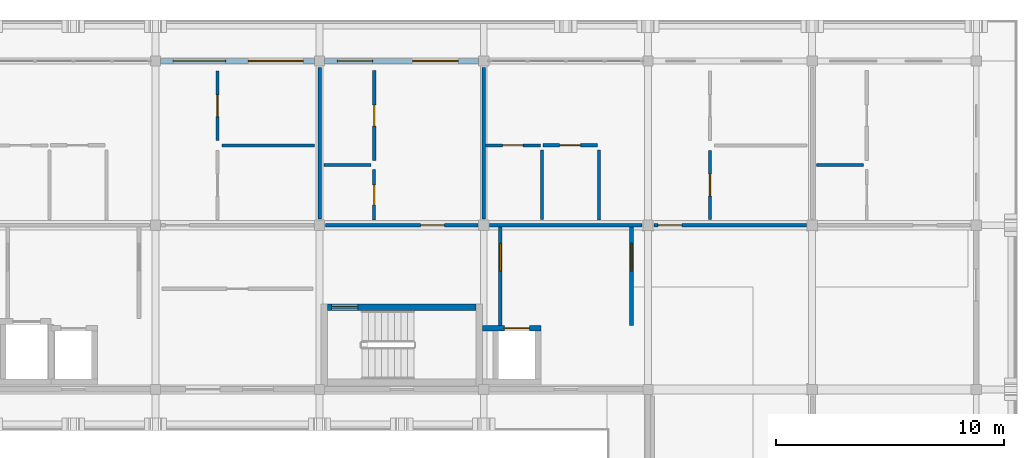
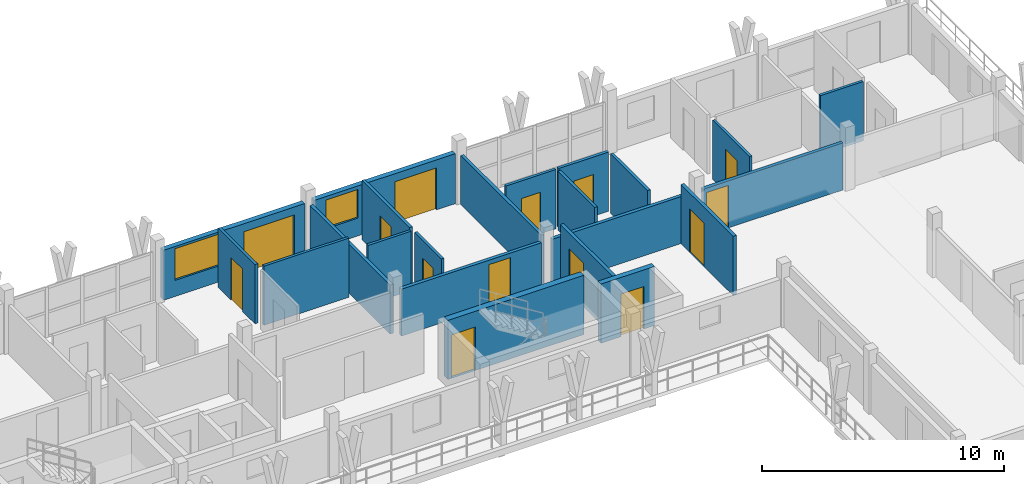
# One storey, part 34 of 45: 22 walls, 14 doors, 2 windows, 16 openings.
"""IFC4 building model written with IfcOpenShell, lengths in metres."""

from ifc_helpers import new_model, si_unit, direction, frame, frame_2d, origin, place, context, subcontext, project, spatial, rectangle, extrude, material, layer, layer_set, type_object, element, fill, save


model = new_model("IFC4")

# Units and contexts
model_context = context("Model", 3, precision=1e-05, world=origin(), true_north=direction((0.0, 1.0)))
body_context = subcontext(model_context, "Body", "Model", "MODEL_VIEW")
ifc_project = project(units=[si_unit("LENGTHUNIT", "METRE"), si_unit("AREAUNIT", "SQUARE_METRE"), si_unit("VOLUMEUNIT", "CUBIC_METRE"), si_unit("PLANEANGLEUNIT", "RADIAN"), si_unit("MASSUNIT", "GRAM", prefix="KILO")], contexts=[model_context])

# Site, building, storey
site_placement = place(None, origin())
site = spatial("IfcSite", under=ifc_project, at=site_placement, CompositionType="ELEMENT")
building_placement = place(site_placement, origin())
building = spatial("IfcBuilding", under=site, at=building_placement, Name="Suanplinth Sawtooth Commons", CompositionType="ELEMENT")
storey_placement = place(building_placement, frame((0.0, 0.0, 38.0)))
storey = spatial("IfcBuildingStorey", under=building, at=storey_placement, Name="L11", CompositionType="ELEMENT", Elevation=38.0)

# Wall, opening, door
ifc_material_1 = material(Name="Concrete C40/50", Category="concrete")
ifc_layer_1 = layer(ifc_material_1, 0.300048828125, Name="Standard RC stair and lift core wall 300mm")
ifc_layer_set_1 = layer_set([ifc_layer_1], Name="Concrete C40/50")
wall_type_1 = type_object("IfcWallType", Name="W-CR02", PredefinedType="SHEAR", material=ifc_layer_set_1)
wall_1_placement = place(storey_placement, frame((158.75, 111.60009765625, 0.0), z_axis=(0.0, 0.0, 1.0), x_axis=(1.0, 0.0, 0.0)))
wall_1 = element("IfcWall", 1, at=wall_1_placement, inside=storey, type_object=wall_type_1, Name="W-L11-C-B2-STN", PredefinedType="SHEAR", context=body_context, shape_type="SweptSolid", body=[
    extrude(rectangle(XDim=6.5, YDim=0.300048828125, at=frame_2d((3.25, 0.0))), origin(), (0.0, 0.0, 1.0), 2.989990234375),
])
opening_1_placement = place(wall_1_placement, frame((0.179931640625, 0.0, 0.0)))
opening_1 = element("IfcOpeningElement", 2, at=opening_1_placement, cuts=wall_1, Name="Opening FD0268", PredefinedType="OPENING", context=body_context, shape_type="SweptSolid", body=[
    extrude(rectangle(XDim=1.14990234375, YDim=2.199951171875, at=frame_2d((0.574951171875, 1.10009765625))), frame((0.0, 0.1650390625, 0.0), z_axis=(0.0, -1.0, 0.0), x_axis=(1.0, 0.0, 0.0)), (0.0, 0.0, 1.0), 0.329833984375),
])
ifc_material_2 = material(Name="Teak hardwood fire-rated door assembly", Category="wood")
door_type_1 = type_object("IfcDoorType", Name="FD-01", OperationType="NOTDEFINED", PredefinedType="DOOR", material=ifc_material_2)
door_1_placement = place(opening_1_placement, frame((1.14990234375, 0.0, 0.0), z_axis=(0.0, 0.0, 1.0), x_axis=(-1.0, 0.0, 0.0)))
door_1 = element("IfcDoor", 3, at=door_1_placement, inside=storey, type_object=door_type_1, Name="Exit Stair Fire Door FD0268", OperationType="SINGLE_SWING_LEFT", OverallHeight=2.199951171875, OverallWidth=1.14990234375, PredefinedType="DOOR", context=body_context, shape_type="SweptSolid", body=[
    extrude(rectangle(XDim=1.14990234375, YDim=2.199951171875, at=frame_2d((0.574951171875, 1.10009765625))), frame((0.0, 0.02490234375, 0.0), z_axis=(0.0, -1.0, 0.0), x_axis=(1.0, 0.0, 0.0)), (0.0, 0.0, 1.0), 0.050048828125),
])
fill(opening_1, door_1)

# Wall, openings, door, window
ifc_material_3 = material(Name="Precast concrete C40/50", Category="concrete")
ifc_layer_2 = layer(ifc_material_3, 0.239990234375, Name="Upper insulated precast facade wall 240mm")
ifc_layer_set_2 = layer_set([ifc_layer_2], Name="Precast concrete C40/50")
wall_type_2 = type_object("IfcWallType", Name="W-EX03", PredefinedType="ELEMENTEDWALL", material=ifc_layer_set_2)
wall_2_placement = place(storey_placement, frame((151.425048828125, 122.39990234375, 0.0), z_axis=(0.0, 0.0, 1.0), x_axis=(1.0, 0.0, 0.0)))
wall_2 = element("IfcWall", 4, at=wall_2_placement, inside=storey, type_object=wall_type_2, Name="Facade Wall W-L11-B-N-21-16", PredefinedType="ELEMENTEDWALL", context=body_context, shape_type="SweptSolid", body=[
    extrude(rectangle(XDim=6.75, YDim=0.239990234375, at=frame_2d((3.375, 0.0))), origin(), (0.0, 0.0, 1.0), 2.52490234375),
])
opening_2_placement = place(wall_2_placement, frame((3.85009765625, 0.0, 0.0)))
opening_2 = element("IfcOpeningElement", 5, at=opening_2_placement, cuts=wall_2, Name="Opening ED0796", PredefinedType="OPENING", context=body_context, shape_type="SweptSolid", body=[
    extrude(rectangle(XDim=2.39990234375, YDim=2.1201171875, at=frame_2d((1.199951171875, 1.06005859375))), frame((0.0, 0.134765625, 0.0), z_axis=(0.0, -1.0, 0.0), x_axis=(1.0, 0.0, 0.0)), (0.0, 0.0, 1.0), 0.269775390625),
])
opening_3_placement = place(wall_2_placement, frame((0.550048828125, 0.0, 0.81494140625)))
opening_3 = element("IfcOpeningElement", 6, at=opening_3_placement, cuts=wall_2, Name="Opening W0879", PredefinedType="OPENING", context=body_context, shape_type="SweptSolid", body=[
    extrude(rectangle(XDim=2.300048828125, YDim=1.60009765625, at=frame_2d((1.14990234375, 0.800048828125))), frame((0.0, 0.134765625, 0.0), z_axis=(0.0, -1.0, 0.0), x_axis=(1.0, 0.0, 0.0)), (0.0, 0.0, 1.0), 0.269775390625),
])
ifc_material_4 = material(Name="Anodized aluminium and low-E glass", Category="aluminium")
door_type_2 = type_object("IfcDoorType", Name="SD-04", OperationType="DOUBLE_DOOR_SLIDING", PredefinedType="DOOR", material=ifc_material_4)
door_2_placement = place(opening_2_placement, frame((2.39990234375, 0.0, 0.0), z_axis=(0.0, 0.0, 1.0), x_axis=(-1.0, 0.0, 0.0)))
door_2 = element("IfcDoor", 7, at=door_2_placement, inside=storey, type_object=door_type_2, Name="Balcony Sliding Door L11-B-21", OperationType="DOUBLE_DOOR_SLIDING", OverallHeight=2.1201171875, OverallWidth=2.39990234375, PredefinedType="DOOR", context=body_context, shape_type="SweptSolid", body=[
    extrude(rectangle(XDim=2.39990234375, YDim=2.1201171875, at=frame_2d((1.199951171875, 1.06005859375))), frame((0.0, 0.02490234375, 0.0), z_axis=(0.0, -1.0, 0.0), x_axis=(1.0, 0.0, 0.0)), (0.0, 0.0, 1.0), 0.050048828125),
])
fill(opening_2, door_2)
ifc_material_5 = material(Name="Thermally broken aluminium and low-E double glazing", Category="aluminium")
window_type_1 = type_object("IfcWindowType", Name="WN-21", PartitioningType="TRIPLE_PANEL_VERTICAL", PredefinedType="WINDOW", material=ifc_material_5)
window_1_placement = place(opening_3_placement, origin())
window_1 = element("IfcWindow", 8, at=window_1_placement, inside=storey, type_object=window_type_1, Name="Apartment Window L11-B-21", OverallHeight=1.60009765625, OverallWidth=2.300048828125, PartitioningType="TRIPLE_PANEL_VERTICAL", PredefinedType="WINDOW", context=body_context, shape_type="SweptSolid", body=[
    extrude(rectangle(XDim=2.300048828125, YDim=1.60009765625, at=frame_2d((1.14990234375, 0.800048828125))), frame((0.0, 0.030029296875, 0.0), z_axis=(0.0, -1.0, 0.0), x_axis=(1.0, 0.0, 0.0)), (0.0, 0.0, 1.0), 0.06005859375),
])
fill(opening_3, window_1)

wall_3_placement = place(storey_placement, frame((158.625, 122.39990234375, 0.0), z_axis=(0.0, 0.0, 1.0), x_axis=(1.0, 0.0, 0.0)))
wall_3 = element("IfcWall", 9, at=wall_3_placement, inside=storey, type_object=wall_type_2, Name="Facade Wall W-L11-B-N-22-16", PredefinedType="ELEMENTEDWALL", context=body_context, shape_type="SweptSolid", body=[
    extrude(rectangle(XDim=6.75, YDim=0.239990234375, at=frame_2d((3.375, 0.0))), origin(), (0.0, 0.0, 1.0), 2.52490234375),
])
opening_4_placement = place(wall_3_placement, frame((3.85009765625, 0.0, 0.0)))
opening_4 = element("IfcOpeningElement", 10, at=opening_4_placement, cuts=wall_3, Name="Opening ED0797", PredefinedType="OPENING", context=body_context, shape_type="SweptSolid", body=[
    extrude(rectangle(XDim=2.0, YDim=2.1201171875, at=frame_2d((1.0, 1.06005859375))), frame((0.0, 0.134765625, 0.0), z_axis=(0.0, -1.0, 0.0), x_axis=(1.0, 0.0, 0.0)), (0.0, 0.0, 1.0), 0.269775390625),
])
opening_5_placement = place(wall_3_placement, frame((0.550048828125, 0.0, 0.89990234375)))
opening_5 = element("IfcOpeningElement", 11, at=opening_5_placement, cuts=wall_3, Name="Opening W0881", PredefinedType="OPENING", context=body_context, shape_type="SweptSolid", body=[
    extrude(rectangle(XDim=1.550048828125, YDim=1.449951171875, at=frame_2d((0.77490234375, 0.72509765625))), frame((0.0, 0.134765625, 0.0), z_axis=(0.0, -1.0, 0.0), x_axis=(1.0, 0.0, 0.0)), (0.0, 0.0, 1.0), 0.269775390625),
])
door_type_3 = type_object("IfcDoorType", Name="SD-06", OperationType="DOUBLE_DOOR_SLIDING", PredefinedType="DOOR", material=ifc_material_4)
door_3_placement = place(opening_4_placement, frame((2.0, 0.0, 0.0), z_axis=(0.0, 0.0, 1.0), x_axis=(-1.0, 0.0, 0.0)))
door_3 = element("IfcDoor", 12, at=door_3_placement, inside=storey, type_object=door_type_3, Name="Balcony Sliding Door L11-B-22", OperationType="DOUBLE_DOOR_SLIDING", OverallHeight=2.1201171875, OverallWidth=2.0, PredefinedType="DOOR", context=body_context, shape_type="SweptSolid", body=[
    extrude(rectangle(XDim=2.0, YDim=2.1201171875, at=frame_2d((1.0, 1.06005859375))), frame((0.0, 0.02490234375, 0.0), z_axis=(0.0, -1.0, 0.0), x_axis=(1.0, 0.0, 0.0)), (0.0, 0.0, 1.0), 0.050048828125),
])
fill(opening_4, door_3)
window_type_2 = type_object("IfcWindowType", Name="WN-22", PartitioningType="DOUBLE_PANEL_VERTICAL", PredefinedType="WINDOW", material=ifc_material_5)
window_2_placement = place(opening_5_placement, origin())
window_2 = element("IfcWindow", 13, at=window_2_placement, inside=storey, type_object=window_type_2, Name="Apartment Window L11-B-22", OverallHeight=1.449951171875, OverallWidth=1.550048828125, PartitioningType="DOUBLE_PANEL_VERTICAL", PredefinedType="WINDOW", context=body_context, shape_type="SweptSolid", body=[
    extrude(rectangle(XDim=1.550048828125, YDim=1.449951171875, at=frame_2d((0.77490234375, 0.72509765625))), frame((0.0, 0.030029296875, 0.0), z_axis=(0.0, -1.0, 0.0), x_axis=(1.0, 0.0, 0.0)), (0.0, 0.0, 1.0), 0.06005859375),
])
fill(opening_5, window_2)

# Wall, opening, door
ifc_layer_3 = layer(ifc_material_3, 0.159912109375, Name="Fire-rated corridor and lobby wall 160mm")
ifc_layer_set_3 = layer_set([ifc_layer_3], Name="Precast concrete C40/50")
wall_type_3 = type_object("IfcWallType", Name="W-FW01", PredefinedType="PARTITIONING", material=ifc_layer_set_3)
wall_4_placement = place(storey_placement, frame((166.320068359375, 110.800048828125, 0.0), z_axis=(0.0, 0.0, 1.0), x_axis=(0.0, 1.0, 0.0)))
wall_4 = element("IfcWall", 14, at=wall_4_placement, inside=storey, type_object=wall_type_3, Name="W-L11-C-B2-LOB-W", PredefinedType="PARTITIONING", context=body_context, shape_type="SweptSolid", body=[
    extrude(rectangle(XDim=4.320068359375, YDim=0.159912109375, at=frame_2d((2.16015625, 0.0))), origin(), (0.0, 0.0, 1.0), 2.989990234375),
])
opening_6_placement = place(wall_4_placement, frame((2.39990234375, 0.0, 0.0)))
opening_6 = element("IfcOpeningElement", 15, at=opening_6_placement, cuts=wall_4, Name="Opening FD0269", PredefinedType="OPENING", context=body_context, shape_type="SweptSolid", body=[
    extrude(rectangle(XDim=1.199951171875, YDim=2.199951171875, at=frame_2d((0.60009765625, 1.10009765625))), frame((0.0, 0.0947265625, 0.0), z_axis=(0.0, -1.0, 0.0), x_axis=(1.0, 0.0, 0.0)), (0.0, 0.0, 1.0), 0.189697265625),
])
door_type_4 = type_object("IfcDoorType", Name="FD-02", OperationType="NOTDEFINED", PredefinedType="DOOR", material=ifc_material_2)
door_4_placement = place(opening_6_placement, origin())
door_4 = element("IfcDoor", 16, at=door_4_placement, inside=storey, type_object=door_type_4, Name="Lobby Fire Door FD0269", OperationType="SINGLE_SWING_RIGHT", OverallHeight=2.199951171875, OverallWidth=1.199951171875, PredefinedType="DOOR", context=body_context, shape_type="SweptSolid", body=[
    extrude(rectangle(XDim=1.199951171875, YDim=2.199951171875, at=frame_2d((0.60009765625, 1.10009765625))), frame((0.0, 0.02490234375, 0.0), z_axis=(0.0, -1.0, 0.0), x_axis=(1.0, 0.0, 0.0)), (0.0, 0.0, 1.0), 0.050048828125),
])
fill(opening_6, door_4)

wall_5_placement = place(storey_placement, frame((172.080078125, 110.800048828125, 0.0), z_axis=(0.0, 0.0, 1.0), x_axis=(0.0, 1.0, 0.0)))
wall_5 = element("IfcWall", 17, at=wall_5_placement, inside=storey, type_object=wall_type_3, Name="W-L11-C-B2-LOB-E", PredefinedType="PARTITIONING", context=body_context, shape_type="SweptSolid", body=[
    extrude(rectangle(XDim=4.320068359375, YDim=0.159912109375, at=frame_2d((2.16015625, 0.0))), origin(), (0.0, 0.0, 1.0), 2.989990234375),
])
opening_7_placement = place(wall_5_placement, frame((2.39990234375, 0.0, 0.0)))
opening_7 = element("IfcOpeningElement", 18, at=opening_7_placement, cuts=wall_5, Name="Opening FD0270", PredefinedType="OPENING", context=body_context, shape_type="SweptSolid", body=[
    extrude(rectangle(XDim=1.199951171875, YDim=2.199951171875, at=frame_2d((0.60009765625, 1.10009765625))), frame((0.0, 0.0947265625, 0.0), z_axis=(0.0, -1.0, 0.0), x_axis=(1.0, 0.0, 0.0)), (0.0, 0.0, 1.0), 0.189697265625),
])
door_5_placement = place(opening_7_placement, frame((1.199951171875, 0.0, 0.0), z_axis=(0.0, 0.0, 1.0), x_axis=(-1.0, 0.0, 0.0)))
door_5 = element("IfcDoor", 19, at=door_5_placement, inside=storey, type_object=door_type_4, Name="Lobby Fire Door FD0270", OperationType="SINGLE_SWING_LEFT", OverallHeight=2.199951171875, OverallWidth=1.199951171875, PredefinedType="DOOR", context=body_context, shape_type="SweptSolid", body=[
    extrude(rectangle(XDim=1.199951171875, YDim=2.199951171875, at=frame_2d((0.60009765625, 1.10009765625))), frame((0.0, 0.02490234375, 0.0), z_axis=(0.0, -1.0, 0.0), x_axis=(1.0, 0.0, 0.0)), (0.0, 0.0, 1.0), 0.050048828125),
])
fill(opening_7, door_5)

wall_6_placement = place(storey_placement, frame((158.655029296875, 115.199951171875, 0.0), z_axis=(0.0, 0.0, 1.0), x_axis=(1.0, 0.0, 0.0)))
wall_6 = element("IfcWall", 20, at=wall_6_placement, inside=storey, type_object=wall_type_3, Name="W-B-L11-U03-COR", PredefinedType="PARTITIONING", context=body_context, shape_type="SweptSolid", body=[
    extrude(rectangle(XDim=6.68994140625, YDim=0.159912109375, at=frame_2d((3.344970703125, 0.0))), origin(), (0.0, 0.0, 1.0), 2.375),
])
opening_8_placement = place(wall_6_placement, frame((4.169921875, 0.0, 0.0)))
opening_8 = element("IfcOpeningElement", 21, at=opening_8_placement, cuts=wall_6, Name="Opening FD1965", PredefinedType="OPENING", context=body_context, shape_type="SweptSolid", body=[
    extrude(rectangle(XDim=1.050048828125, YDim=2.14990234375, at=frame_2d((0.52490234375, 1.074951171875))), frame((0.0, 0.0947265625, 0.0), z_axis=(0.0, -1.0, 0.0), x_axis=(1.0, 0.0, 0.0)), (0.0, 0.0, 1.0), 0.189697265625),
])
door_type_5 = type_object("IfcDoorType", Name="FD-04", OperationType="NOTDEFINED", PredefinedType="DOOR", material=ifc_material_2)
door_6_placement = place(opening_8_placement, origin())
door_6 = element("IfcDoor", 22, at=door_6_placement, inside=storey, type_object=door_type_5, Name="Unit Entrance Door FD1965", OperationType="SINGLE_SWING_LEFT", OverallHeight=2.14990234375, OverallWidth=1.050048828125, PredefinedType="DOOR", context=body_context, shape_type="SweptSolid", body=[
    extrude(rectangle(XDim=1.050048828125, YDim=2.14990234375, at=frame_2d((0.52490234375, 1.074951171875))), frame((0.0, 0.02490234375, 0.0), z_axis=(0.0, -1.0, 0.0), x_axis=(1.0, 0.0, 0.0)), (0.0, 0.0, 1.0), 0.050048828125),
])
fill(opening_8, door_6)

# Wall
wall_7_placement = place(storey_placement, frame((165.85498046875, 115.199951171875, 0.0), z_axis=(0.0, 0.0, 1.0), x_axis=(1.0, 0.0, 0.0)))
element("IfcWall", 23, at=wall_7_placement, inside=storey, type_object=wall_type_3, Name="W-B-L11-U04-COR-S1", PredefinedType="PARTITIONING", context=body_context, shape_type="SweptSolid", body=[
    extrude(rectangle(XDim=6.68994140625, YDim=0.159912109375, at=frame_2d((3.344970703125, 0.0))), origin(), (0.0, 0.0, 1.0), 2.375),
])

# Wall, opening, door
wall_8_placement = place(storey_placement, frame((173.054931640625, 115.199951171875, 0.0), z_axis=(0.0, 0.0, 1.0), x_axis=(1.0, 0.0, 0.0)))
wall_8 = element("IfcWall", 24, at=wall_8_placement, inside=storey, type_object=wall_type_3, Name="W-B-L11-U04-COR-S2", PredefinedType="PARTITIONING", context=body_context, shape_type="SweptSolid", body=[
    extrude(rectangle(XDim=6.690185546875, YDim=0.159912109375, at=frame_2d((3.34521484375, 0.0))), origin(), (0.0, 0.0, 1.0), 2.375),
])
opening_9_placement = place(wall_8_placement, frame((0.179931640625, 0.0, 0.0)))
opening_9 = element("IfcOpeningElement", 25, at=opening_9_placement, cuts=wall_8, Name="Opening FD1968", PredefinedType="OPENING", context=body_context, shape_type="SweptSolid", body=[
    extrude(rectangle(XDim=1.050048828125, YDim=2.14990234375, at=frame_2d((0.52490234375, 1.074951171875))), frame((0.0, 0.0947265625, 0.0), z_axis=(0.0, -1.0, 0.0), x_axis=(1.0, 0.0, 0.0)), (0.0, 0.0, 1.0), 0.189697265625),
])
door_7_placement = place(opening_9_placement, origin())
door_7 = element("IfcDoor", 26, at=door_7_placement, inside=storey, type_object=door_type_5, Name="Unit Entrance Door FD1968", OperationType="SINGLE_SWING_RIGHT", OverallHeight=2.14990234375, OverallWidth=1.050048828125, PredefinedType="DOOR", context=body_context, shape_type="SweptSolid", body=[
    extrude(rectangle(XDim=1.050048828125, YDim=2.14990234375, at=frame_2d((0.52490234375, 1.074951171875))), frame((0.0, 0.02490234375, 0.0), z_axis=(0.0, -1.0, 0.0), x_axis=(1.0, 0.0, 0.0)), (0.0, 0.0, 1.0), 0.050048828125),
])
fill(opening_9, door_7)

# Walls
ifc_layer_4 = layer(ifc_material_3, 0.14990234375, Name="Acoustic precast party demising wall 150mm")
ifc_layer_set_4 = layer_set([ifc_layer_4], Name="Precast concrete C40/50")
wall_type_4 = type_object("IfcWallType", Name="W-FW02", PredefinedType="PARTITIONING", material=ifc_layer_set_4)
for number, where, z_axis, x_axis, name in (
    (27, (158.39990234375, 115.47998046875, 0.0), (0.0, 0.0, 1.0), (0.0, 1.0, 0.0), "W-B-L11-U02-PTY"),
    (28, (165.60009765625, 115.47998046875, 0.0), (0.0, 0.0, 1.0), (0.0, 1.0, 0.0), "W-B-L11-U03-PTY"),
):
    element("IfcWall", number, at=place(storey_placement, frame(where, z_axis=z_axis, x_axis=x_axis)), inside=storey, type_object=wall_type_4, Name=name, PredefinedType="PARTITIONING", context=body_context, shape_type="SweptSolid", body=[
        extrude(rectangle(XDim=6.64013671875, YDim=0.14990234375, at=frame_2d((3.320068359375, 0.0))), origin(), (0.0, 0.0, 1.0), 2.47509765625),
    ])

# Wall, opening, door
ifc_material_6 = material(Name="Gypsum plasterboard on steel stud", Category="steel")
ifc_layer_5 = layer(ifc_material_6, 0.139892578125, Name="Fire-rated kitchen partition 140mm")
ifc_layer_set_5 = layer_set([ifc_layer_5], Name="Gypsum plasterboard on steel stud")
wall_type_5 = type_object("IfcWallType", Name="W-PT01", PredefinedType="PARTITIONING", material=ifc_layer_set_5)
wall_9_placement = place(storey_placement, frame((160.794921875, 118.0400390625, 0.0), z_axis=(0.0, 0.0, 1.0), x_axis=(0.0, 1.0, 0.0)))
wall_9 = element("IfcWall", 29, at=wall_9_placement, inside=storey, type_object=wall_type_5, Name="W-B-L11-U03-KITE", PredefinedType="PARTITIONING", context=body_context, shape_type="SweptSolid", body=[
    extrude(rectangle(XDim=3.93994140625, YDim=0.139892578125, at=frame_2d((1.969970703125, 0.0))), origin(), (0.0, 0.0, 1.0), 2.989990234375),
])
opening_10_placement = place(wall_9_placement, frame((1.510009765625, 0.0, 0.0)))
opening_10 = element("IfcOpeningElement", 30, at=opening_10_placement, cuts=wall_9, Name="Opening D1967", PredefinedType="OPENING", context=body_context, shape_type="SweptSolid", body=[
    extrude(rectangle(XDim=0.919921875, YDim=2.10009765625, at=frame_2d((0.4599609375, 1.050048828125))), frame((0.0, 0.0849609375, 0.0), z_axis=(0.0, -1.0, 0.0), x_axis=(1.0, 0.0, 0.0)), (0.0, 0.0, 1.0), 0.169677734375),
])
ifc_material_7 = material(Name="Teak hardwood", Category="wood")
door_type_6 = type_object("IfcDoorType", Name="D-02", OperationType="NOTDEFINED", PredefinedType="DOOR", material=ifc_material_7)
door_8_placement = place(opening_10_placement, origin())
door_8 = element("IfcDoor", 31, at=door_8_placement, inside=storey, type_object=door_type_6, Name="Kitchen Door D1967", OperationType="SINGLE_SWING_LEFT", OverallHeight=2.10009765625, OverallWidth=0.919921875, PredefinedType="DOOR", context=body_context, shape_type="SweptSolid", body=[
    extrude(rectangle(XDim=0.919921875, YDim=2.10009765625, at=frame_2d((0.4599609375, 1.050048828125))), frame((0.0, 0.02490234375, 0.0), z_axis=(0.0, -1.0, 0.0), x_axis=(1.0, 0.0, 0.0)), (0.0, 0.0, 1.0), 0.050048828125),
])
fill(opening_10, door_8)

wall_10_placement = place(storey_placement, frame((168.199951171875, 118.7099609375, 0.0), z_axis=(0.0, 0.0, 1.0), x_axis=(1.0, 0.0, 0.0)))
wall_10 = element("IfcWall", 32, at=wall_10_placement, inside=storey, type_object=wall_type_5, Name="W-B-L11-U04-KIT1", PredefinedType="PARTITIONING", context=body_context, shape_type="SweptSolid", body=[
    extrude(rectangle(XDim=2.380126953125, YDim=0.139892578125, at=frame_2d((1.18994140625, 0.0))), origin(), (0.0, 0.0, 1.0), 2.989990234375),
])
opening_11_placement = place(wall_10_placement, frame((0.72998046875, 0.0, 0.0)))
opening_11 = element("IfcOpeningElement", 33, at=opening_11_placement, cuts=wall_10, Name="Opening D1970", PredefinedType="OPENING", context=body_context, shape_type="SweptSolid", body=[
    extrude(rectangle(XDim=0.919921875, YDim=2.10009765625, at=frame_2d((0.4599609375, 1.050048828125))), frame((0.0, 0.0849609375, 0.0), z_axis=(0.0, -1.0, 0.0), x_axis=(1.0, 0.0, 0.0)), (0.0, 0.0, 1.0), 0.169677734375),
])
door_9_placement = place(opening_11_placement, frame((0.919921875, 0.0, 0.0), z_axis=(0.0, 0.0, 1.0), x_axis=(-1.0, 0.0, 0.0)))
door_9 = element("IfcDoor", 34, at=door_9_placement, inside=storey, type_object=door_type_6, Name="Kitchen Door D1970", OperationType="SINGLE_SWING_RIGHT", OverallHeight=2.10009765625, OverallWidth=0.919921875, PredefinedType="DOOR", context=body_context, shape_type="SweptSolid", body=[
    extrude(rectangle(XDim=0.919921875, YDim=2.10009765625, at=frame_2d((0.4599609375, 1.050048828125))), frame((0.0, 0.02490234375, 0.0), z_axis=(0.0, -1.0, 0.0), x_axis=(1.0, 0.0, 0.0)), (0.0, 0.0, 1.0), 0.050048828125),
])
fill(opening_11, door_9)

# Walls
wall_11_placement = place(storey_placement, frame((170.64990234375, 115.429931640625, 0.0), z_axis=(0.0, 0.0, 1.0), x_axis=(0.0, 1.0, 0.0)))
element("IfcWall", 35, at=wall_11_placement, inside=storey, type_object=wall_type_5, Name="W-B-L11-U04-KIT2", PredefinedType="PARTITIONING", context=body_context, shape_type="SweptSolid", body=[
    extrude(rectangle(XDim=3.06005859375, YDim=0.139892578125, at=frame_2d((1.530029296875, 0.0))), origin(), (0.0, 0.0, 1.0), 2.989990234375),
])
ifc_layer_6 = layer(ifc_material_6, 0.1298828125, Name="Moisture-resistant bathroom partition 130mm")
ifc_layer_set_6 = layer_set([ifc_layer_6], Name="Gypsum plasterboard on steel stud")
wall_type_6 = type_object("IfcWallType", Name="W-PT02", PredefinedType="PARTITIONING", material=ifc_layer_set_6)
wall_12_placement = place(storey_placement, frame((158.60009765625, 117.840087890625, 0.0), z_axis=(0.0, 0.0, 1.0), x_axis=(1.0, 0.0, 0.0)))
element("IfcWall", 36, at=wall_12_placement, inside=storey, type_object=wall_type_6, Name="W-B-L11-U03-STDIV", PredefinedType="PARTITIONING", context=body_context, shape_type="SweptSolid", body=[
    extrude(rectangle(XDim=2.0498046875, YDim=0.1298828125, at=frame_2d((1.02490234375, 0.0))), origin(), (0.0, 0.0, 1.0), 2.989990234375),
])

# Wall, opening, door
wall_13_placement = place(storey_placement, frame((160.794921875, 115.419921875, 0.0), z_axis=(0.0, 0.0, 1.0), x_axis=(0.0, 1.0, 0.0)))
wall_13 = element("IfcWall", 37, at=wall_13_placement, inside=storey, type_object=wall_type_6, Name="W-B-L11-U03-BTHE", PredefinedType="PARTITIONING", context=body_context, shape_type="SweptSolid", body=[
    extrude(rectangle(XDim=2.219970703125, YDim=0.1298828125, at=frame_2d((1.10986328125, 0.0))), origin(), (0.0, 0.0, 1.0), 2.989990234375),
])
opening_12_placement = place(wall_13_placement, frame((0.669921875, 0.0, 0.0)))
opening_12 = element("IfcOpeningElement", 38, at=opening_12_placement, cuts=wall_13, Name="Opening D1966", PredefinedType="OPENING", context=body_context, shape_type="SweptSolid", body=[
    extrude(rectangle(XDim=0.8798828125, YDim=2.10009765625, at=frame_2d((0.43994140625, 1.050048828125))), frame((0.0, 0.079833984375, 0.0), z_axis=(0.0, -1.0, 0.0), x_axis=(1.0, 0.0, 0.0)), (0.0, 0.0, 1.0), 0.15966796875),
])
door_type_7 = type_object("IfcDoorType", Name="D-14", OperationType="NOTDEFINED", PredefinedType="DOOR", material=ifc_material_7)
door_10_placement = place(opening_12_placement, origin())
door_10 = element("IfcDoor", 39, at=door_10_placement, inside=storey, type_object=door_type_7, Name="Bathroom Door D1966", OperationType="SINGLE_SWING_RIGHT", OverallHeight=2.10009765625, OverallWidth=0.8798828125, PredefinedType="DOOR", context=body_context, shape_type="SweptSolid", body=[
    extrude(rectangle(XDim=0.8798828125, YDim=2.10009765625, at=frame_2d((0.43994140625, 1.050048828125))), frame((0.0, 0.02490234375, 0.0), z_axis=(0.0, -1.0, 0.0), x_axis=(1.0, 0.0, 0.0)), (0.0, 0.0, 1.0), 0.050048828125),
])
fill(opening_12, door_10)

wall_14_placement = place(storey_placement, frame((165.679931640625, 118.705078125, 0.0), z_axis=(0.0, 0.0, 1.0), x_axis=(1.0, 0.0, 0.0)))
wall_14 = element("IfcWall", 40, at=wall_14_placement, inside=storey, type_object=wall_type_6, Name="W-B-L11-U04-BTH1", PredefinedType="PARTITIONING", context=body_context, shape_type="SweptSolid", body=[
    extrude(rectangle(XDim=2.400146484375, YDim=0.1298828125, at=frame_2d((1.2001953125, 0.0))), origin(), (0.0, 0.0, 1.0), 2.989990234375),
])
opening_13_placement = place(wall_14_placement, frame((0.75, 0.0, 0.0)))
opening_13 = element("IfcOpeningElement", 41, at=opening_13_placement, cuts=wall_14, Name="Opening D1969", PredefinedType="OPENING", context=body_context, shape_type="SweptSolid", body=[
    extrude(rectangle(XDim=0.89990234375, YDim=2.10009765625, at=frame_2d((0.449951171875, 1.050048828125))), frame((0.0, 0.079833984375, 0.0), z_axis=(0.0, -1.0, 0.0), x_axis=(1.0, 0.0, 0.0)), (0.0, 0.0, 1.0), 0.15966796875),
])
door_type_8 = type_object("IfcDoorType", Name="D-01", OperationType="NOTDEFINED", PredefinedType="DOOR", material=ifc_material_7)
door_11_placement = place(opening_13_placement, frame((0.89990234375, 0.0, 0.0), z_axis=(0.0, 0.0, 1.0), x_axis=(-1.0, 0.0, 0.0)))
door_11 = element("IfcDoor", 42, at=door_11_placement, inside=storey, type_object=door_type_8, Name="Bathroom Door D1969", OperationType="SINGLE_SWING_LEFT", OverallHeight=2.10009765625, OverallWidth=0.89990234375, PredefinedType="DOOR", context=body_context, shape_type="SweptSolid", body=[
    extrude(rectangle(XDim=0.89990234375, YDim=2.10009765625, at=frame_2d((0.449951171875, 1.050048828125))), frame((0.0, 0.02490234375, 0.0), z_axis=(0.0, -1.0, 0.0), x_axis=(1.0, 0.0, 0.0)), (0.0, 0.0, 1.0), 0.050048828125),
])
fill(opening_13, door_11)

# Walls
wall_15_placement = place(storey_placement, frame((168.14501953125, 115.4599609375, 0.0), z_axis=(0.0, 0.0, 1.0), x_axis=(0.0, 1.0, 0.0)))
element("IfcWall", 43, at=wall_15_placement, inside=storey, type_object=wall_type_6, Name="W-B-L11-U04-BTH2", PredefinedType="PARTITIONING", context=body_context, shape_type="SweptSolid", body=[
    extrude(rectangle(XDim=3.0400390625, YDim=0.1298828125, at=frame_2d((1.52001953125, 0.0))), origin(), (0.0, 0.0, 1.0), 2.989990234375),
])
wall_16_placement = place(storey_placement, frame((180.199951171875, 117.840087890625, 0.0), z_axis=(0.0, 0.0, 1.0), x_axis=(1.0, 0.0, 0.0)))
element("IfcWall", 44, at=wall_16_placement, inside=storey, type_object=wall_type_6, Name="W-B-L11-U05-STDIV", PredefinedType="PARTITIONING", context=body_context, shape_type="SweptSolid", body=[
    extrude(rectangle(XDim=2.050048828125, YDim=0.1298828125, at=frame_2d((1.02490234375, 0.0))), origin(), (0.0, 0.0, 1.0), 2.989990234375),
])

# Wall, opening, door
ifc_layer_7 = layer(ifc_material_6, 0.1201171875, Name="Acoustic bedroom partition 120mm")
ifc_layer_set_7 = layer_set([ifc_layer_7], Name="Gypsum plasterboard on steel stud")
wall_type_7 = type_object("IfcWallType", Name="W-PT03", PredefinedType="PARTITIONING", material=ifc_layer_set_7)
wall_17_placement = place(storey_placement, frame((175.52001953125, 115.43994140625, 0.0), z_axis=(0.0, 0.0, 1.0), x_axis=(0.0, 1.0, 0.0)))
wall_17 = element("IfcWall", 45, at=wall_17_placement, inside=storey, type_object=wall_type_7, Name="W-B-L11-U04-BED2", PredefinedType="PARTITIONING", context=body_context, shape_type="SweptSolid", body=[
    extrude(rectangle(XDim=3.0400390625, YDim=0.1201171875, at=frame_2d((1.52001953125, 0.0))), origin(), (0.0, 0.0, 1.0), 2.989990234375),
])
opening_14_placement = place(wall_17_placement, frame((1.0400390625, 0.0, 0.0)))
opening_14 = element("IfcOpeningElement", 46, at=opening_14_placement, cuts=wall_17, Name="Opening D1972", PredefinedType="OPENING", context=body_context, shape_type="SweptSolid", body=[
    extrude(rectangle(XDim=0.9599609375, YDim=2.14990234375, at=frame_2d((0.47998046875, 1.074951171875))), frame((0.0, 0.074951171875, 0.0), z_axis=(0.0, -1.0, 0.0), x_axis=(1.0, 0.0, 0.0)), (0.0, 0.0, 1.0), 0.14990234375),
])
door_type_9 = type_object("IfcDoorType", Name="D-13", OperationType="NOTDEFINED", PredefinedType="DOOR", material=ifc_material_7)
door_12_placement = place(opening_14_placement, frame((0.9599609375, 0.0, 0.0), z_axis=(0.0, 0.0, 1.0), x_axis=(-1.0, 0.0, 0.0)))
door_12 = element("IfcDoor", 47, at=door_12_placement, inside=storey, type_object=door_type_9, Name="Second Bedroom Door D1972", OperationType="SINGLE_SWING_RIGHT", OverallHeight=2.14990234375, OverallWidth=0.9599609375, PredefinedType="DOOR", context=body_context, shape_type="SweptSolid", body=[
    extrude(rectangle(XDim=0.9599609375, YDim=2.14990234375, at=frame_2d((0.47998046875, 1.074951171875))), frame((0.0, 0.02490234375, 0.0), z_axis=(0.0, -1.0, 0.0), x_axis=(1.0, 0.0, 0.0)), (0.0, 0.0, 1.0), 0.050048828125),
])
fill(opening_14, door_12)

# Wall
ifc_layer_8 = layer(ifc_material_6, 0.125, Name="Acoustic study partition 125mm")
ifc_layer_set_8 = layer_set([ifc_layer_8], Name="Gypsum plasterboard on steel stud")
wall_type_8 = type_object("IfcWallType", Name="W-PT06", PredefinedType="PARTITIONING", material=ifc_layer_set_8)
wall_18_placement = place(storey_placement, frame((154.1201171875, 118.699951171875, 0.0), z_axis=(0.0, 0.0, 1.0), x_axis=(1.0, 0.0, 0.0)))
element("IfcWall", 48, at=wall_18_placement, inside=storey, type_object=wall_type_8, Name="W-B-L11-U02-BEDDIV", PredefinedType="PARTITIONING", context=body_context, shape_type="SweptSolid", body=[
    extrude(rectangle(XDim=4.059814453125, YDim=0.125, at=frame_2d((2.02978515625, 0.0))), origin(), (0.0, 0.0, 1.0), 2.989990234375),
])

# Wall, opening, door
ifc_layer_9 = layer(ifc_material_6, 0.135009765625, Name="Insulated bedroom demising partition 135mm")
ifc_layer_set_9 = layer_set([ifc_layer_9], Name="Gypsum plasterboard on steel stud")
wall_type_9 = type_object("IfcWallType", Name="W-PT07", PredefinedType="PARTITIONING", material=ifc_layer_set_9)
wall_19_placement = place(storey_placement, frame((153.919921875, 118.919921875, 0.0), z_axis=(0.0, 0.0, 1.0), x_axis=(0.0, 1.0, 0.0)))
wall_19 = element("IfcWall", 49, at=wall_19_placement, inside=storey, type_object=wall_type_9, Name="W-B-L11-U02-BED1", PredefinedType="PARTITIONING", context=body_context, shape_type="SweptSolid", body=[
    extrude(rectangle(XDim=3.0400390625, YDim=0.135009765625, at=frame_2d((1.52001953125, 0.0))), origin(), (0.0, 0.0, 1.0), 2.989990234375),
])
opening_15_placement = place(wall_19_placement, frame((1.044921875, 0.0, 0.0)))
opening_15 = element("IfcOpeningElement", 50, at=opening_15_placement, cuts=wall_19, Name="Opening D1963", PredefinedType="OPENING", context=body_context, shape_type="SweptSolid", body=[
    extrude(rectangle(XDim=0.949951171875, YDim=2.14990234375, at=frame_2d((0.47509765625, 1.074951171875))), frame((0.0, 0.08251953125, 0.0), z_axis=(0.0, -1.0, 0.0), x_axis=(1.0, 0.0, 0.0)), (0.0, 0.0, 1.0), 0.164794921875),
])
door_type_10 = type_object("IfcDoorType", Name="D-03", OperationType="NOTDEFINED", PredefinedType="DOOR", material=ifc_material_7)
door_13_placement = place(opening_15_placement, frame((0.949951171875, 0.0, 0.0), z_axis=(0.0, 0.0, 1.0), x_axis=(-1.0, 0.0, 0.0)))
door_13 = element("IfcDoor", 51, at=door_13_placement, inside=storey, type_object=door_type_10, Name="Bedroom Door D1963", OperationType="SINGLE_SWING_LEFT", OverallHeight=2.14990234375, OverallWidth=0.949951171875, PredefinedType="DOOR", context=body_context, shape_type="SweptSolid", body=[
    extrude(rectangle(XDim=0.949951171875, YDim=2.14990234375, at=frame_2d((0.47509765625, 1.074951171875))), frame((0.0, 0.02490234375, 0.0), z_axis=(0.0, -1.0, 0.0), x_axis=(1.0, 0.0, 0.0)), (0.0, 0.0, 1.0), 0.050048828125),
])
fill(opening_15, door_13)

ifc_layer_10 = layer(ifc_material_3, 0.25, Name="Precast structural shear wall 250mm")
ifc_layer_set_10 = layer_set([ifc_layer_10], Name="Precast concrete C40/50")
wall_type_10 = type_object("IfcWallType", Name="W-SH01", PredefinedType="SHEAR", material=ifc_layer_set_10)
wall_20_placement = place(storey_placement, frame((165.550048828125, 110.675048828125, 0.0), z_axis=(0.0, 0.0, 1.0), x_axis=(1.0, 0.0, 0.0)))
wall_20 = element("IfcWall", 52, at=wall_20_placement, inside=storey, type_object=wall_type_10, Name="W-L11-LF4-N", PredefinedType="SHEAR", context=body_context, shape_type="SweptSolid", body=[
    extrude(rectangle(XDim=2.550048828125, YDim=0.25, at=frame_2d((1.27490234375, 0.0))), origin(), (0.0, 0.0, 1.0), 2.989990234375),
])
opening_16_placement = place(wall_20_placement, frame((0.949951171875, 0.0, 0.0)))
opening_16 = element("IfcOpeningElement", 53, at=opening_16_placement, cuts=wall_20, Name="Opening LD0271", PredefinedType="OPENING", context=body_context, shape_type="SweptSolid", body=[
    extrude(rectangle(XDim=1.10009765625, YDim=2.14990234375, at=frame_2d((0.550048828125, 1.074951171875))), frame((0.0, 0.139892578125, 0.0), z_axis=(0.0, -1.0, 0.0), x_axis=(1.0, 0.0, 0.0)), (0.0, 0.0, 1.0), 0.27978515625),
])
ifc_material_8 = material(Name="Stainless steel Grade 304", Category="steel")
door_type_11 = type_object("IfcDoorType", Name="LD-01", OperationType="SLIDING_TO_LEFT", PredefinedType="DOOR", material=ifc_material_8)
door_14_placement = place(opening_16_placement, origin())
door_14 = element("IfcDoor", 54, at=door_14_placement, inside=storey, type_object=door_type_11, Name="Lift Landing Sliding Door LF4 L11", OperationType="SLIDING_TO_LEFT", OverallHeight=2.14990234375, OverallWidth=1.10009765625, PredefinedType="DOOR", context=body_context, shape_type="SweptSolid", body=[
    extrude(rectangle(XDim=1.10009765625, YDim=2.14990234375, at=frame_2d((0.550048828125, 1.074951171875))), frame((0.0, 0.02490234375, 0.0), z_axis=(0.0, -1.0, 0.0), x_axis=(1.0, 0.0, 0.0)), (0.0, 0.0, 1.0), 0.050048828125),
])
fill(opening_16, door_14)

save(model, "model.ifc")
